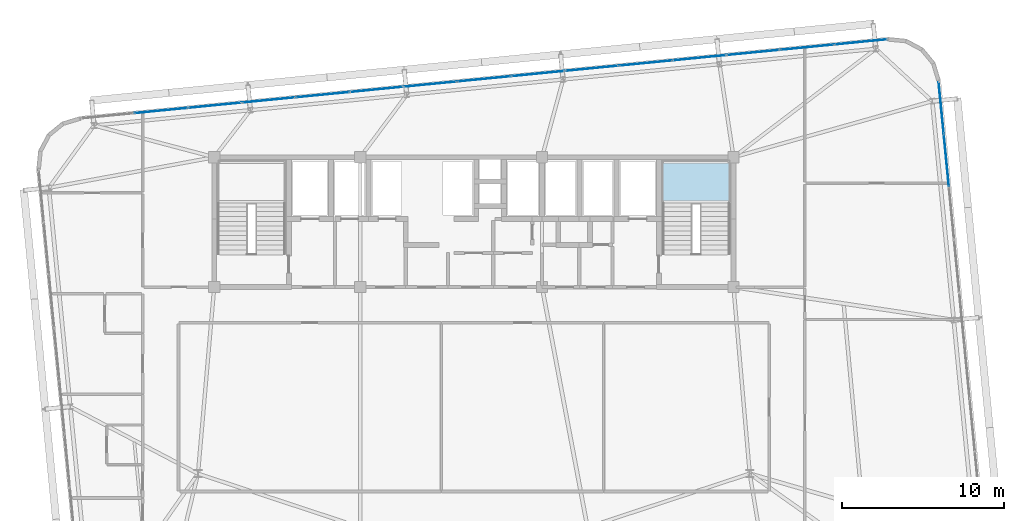
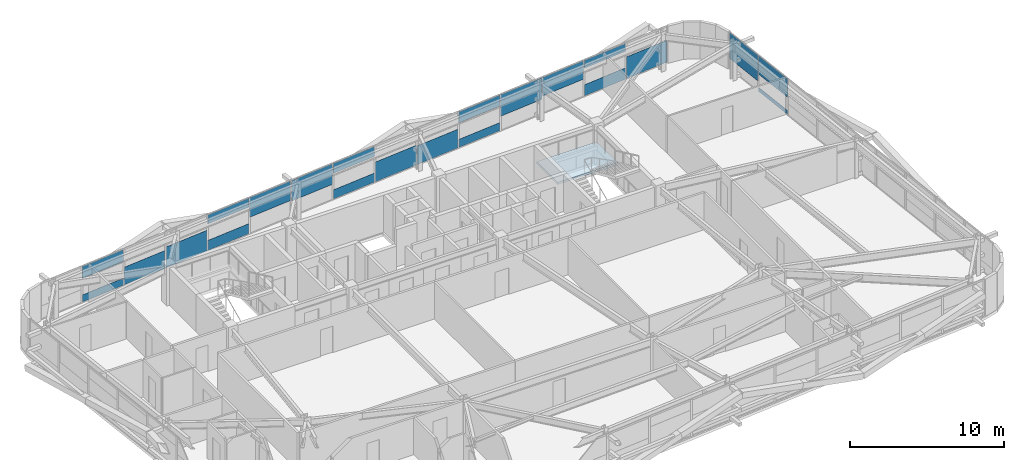
# One storey, part 37 of 53: 22 plates, 1 slab, 3 elements without a shape of their own.
"""IFC4 building model written with IfcOpenShell, lengths in metres."""

import ifcopenshell
import ifcopenshell.guid

model = None  # the IFC model being written
_history = None  # IfcOwnerHistory: only IFC2X3 demands one
_inside = {}  # id of a spatial element -> (the spatial element, [elements in it])
_under = {}  # id of a project, library or spatial element -> (it, [spatial elements below it])
_declared = {}  # id of a project -> (the project, [libraries it declares])
_typed = {}  # id of a type object -> (the type object, [elements of that type])
_made_of = {}  # id of a material, layer set ... -> (it, [elements and type objects made of it])


def new_model(schema):
    """Start an empty IFC model of exactly this schema.

    Asked for "IFC4X3", IfcOpenShell would pick the latest addendum, in which some entities
    have other attributes; the version numbers below select the first issue.
    IFC2X3 requires an IfcOwnerHistory on every rooted entity: one is made here for all.
    """
    global model, _history
    if schema == "IFC4X3":
        model = ifcopenshell.file(schema_version=(4, 3, 0, 0))
    else:
        model = ifcopenshell.file(schema=schema)
    _inside.clear()
    _under.clear()
    _declared.clear()
    _typed.clear()
    _made_of.clear()
    _history = None
    if model.schema == "IFC2X3":
        org = make("IfcOrganization", Name="unknown")
        user = make(
            "IfcPersonAndOrganization",
            ThePerson=make("IfcPerson", FamilyName="unknown"),
            TheOrganization=org,
        )
        app = make(
            "IfcApplication",
            ApplicationDeveloper=org,
            Version="unknown",
            ApplicationFullName="unknown",
            ApplicationIdentifier="unknown",
        )
        _history = make(
            "IfcOwnerHistory",
            OwningUser=user,
            OwningApplication=app,
            ChangeAction="ADDED",
            CreationDate=0,
        )
    return model


def make(cls, **values):
    """One entity of the class cls with the attributes given. An attribute that is None is left unset."""
    return model.create_entity(
        cls, **{name: value for name, value in values.items() if value is not None}
    )


def rooted(cls, **values):
    """An entity with a GlobalId (a new one), such as an element, a storey or a relation."""
    return make(cls, GlobalId=ifcopenshell.guid.new(), OwnerHistory=_history, **values)


def si_unit(unit_type, name, prefix=None):
    """IfcSIUnit, for example si_unit("LENGTHUNIT", "METRE", prefix="MILLI")."""
    return make("IfcSIUnit", UnitType=unit_type, Prefix=prefix, Name=name)


def assignment(units):
    """IfcUnitAssignment: the units of a project."""
    return None if units is None else make("IfcUnitAssignment", Units=units)


def point(xyz):
    """IfcCartesianPoint."""
    return None if xyz is None else make("IfcCartesianPoint", Coordinates=xyz)


def direction(xyz):
    """IfcDirection."""
    return None if xyz is None else make("IfcDirection", DirectionRatios=xyz)


def frame(location, z_axis=None, x_axis=None):
    """IfcAxis2Placement3D, a coordinate frame: its origin and axes. An axis left out is left unset."""
    return make(
        "IfcAxis2Placement3D",
        Location=point(location),
        Axis=direction(z_axis),
        RefDirection=direction(x_axis),
    )


def frame_2d(location, x_axis=None):
    """IfcAxis2Placement2D, a coordinate frame in the plane: its origin and x axis."""
    return make(
        "IfcAxis2Placement2D", Location=point(location), RefDirection=direction(x_axis)
    )


def origin():
    """The frame at (0, 0, 0) with its axes left unset."""
    return frame((0.0, 0.0, 0.0))


def origin_2d():
    """The frame at (0, 0) in the plane with its x axis left unset."""
    return frame_2d((0.0, 0.0))


def place(relative_to, where):
    """IfcLocalPlacement: puts the frame where relative to a parent placement (None: the world)."""
    return make(
        "IfcLocalPlacement", PlacementRelTo=relative_to, RelativePlacement=where
    )


def context(
    kind, dimensions, precision=None, world=None, true_north=None, identifier=None
):
    """IfcGeometricRepresentationContext, for example the 3D "Model" context."""
    return make(
        "IfcGeometricRepresentationContext",
        ContextIdentifier=identifier,
        ContextType=kind,
        CoordinateSpaceDimension=dimensions,
        Precision=precision,
        WorldCoordinateSystem=world,
        TrueNorth=true_north,
    )


def subcontext(parent, identifier, kind, view, scale=None):
    """IfcGeometricRepresentationSubContext, for example "Body" below "Model"."""
    return make(
        "IfcGeometricRepresentationSubContext",
        ContextIdentifier=identifier,
        ContextType=kind,
        ParentContext=parent,
        TargetScale=scale,
        TargetView=view,
    )


def project(units=None, contexts=None):
    """IfcProject with its units and contexts."""
    return rooted(
        "IfcProject",
        Name="project",
        RepresentationContexts=contexts,
        UnitsInContext=assignment(units),
    )


def spatial(cls, under=None, at=None, **own):
    """A site, building, storey or space (cls), placed at a placement, below another one or the project."""
    s = rooted(cls, ObjectPlacement=at, **own)
    if under is not None:
        _under.setdefault(under.id(), (under, []))[1].append(s)
    return s


def polyline(points):
    """IfcPolyline through the points."""
    return make("IfcPolyline", Points=[point(p) for p in points])


def profile(cls, at=None, kind="AREA", **sizes):
    """A parametric profile (cls). Its sizes go by their IFC names, for example OverallWidth=200.0."""
    return make(cls, ProfileType=kind, Position=at, **sizes)


def rectangle(**sizes):
    """IfcRectangleProfileDef."""
    return profile("IfcRectangleProfileDef", **sizes)


def outline(outer, holes=None, kind="AREA"):
    """IfcArbitraryClosedProfileDef: a profile drawn as a closed curve; with holes, ...WithVoids."""
    if holes is None:
        return make("IfcArbitraryClosedProfileDef", ProfileType=kind, OuterCurve=outer)
    return make(
        "IfcArbitraryProfileDefWithVoids",
        ProfileType=kind,
        OuterCurve=outer,
        InnerCurves=holes,
    )


def extrude(swept, where, along, depth):
    """IfcExtrudedAreaSolid: the profile swept, set in the frame where, extruded along a direction by depth."""
    return make(
        "IfcExtrudedAreaSolid",
        SweptArea=swept,
        Position=where,
        ExtrudedDirection=direction(along),
        Depth=depth,
    )


def shape(context_of_items, identifier, shape_type, items):
    """IfcShapeRepresentation: the items that make up one representation, for example the "Body"."""
    return make(
        "IfcShapeRepresentation",
        ContextOfItems=context_of_items,
        RepresentationIdentifier=identifier,
        RepresentationType=shape_type,
        Items=items,
    )


def source(mapping_origin, context_of_items, identifier, shape_type, items):
    """IfcRepresentationMap: a shape defined once, which mapped items show again and again."""
    return make(
        "IfcRepresentationMap",
        MappingOrigin=mapping_origin,
        MappedRepresentation=shape(context_of_items, identifier, shape_type, items),
    )


def transform(
    local_origin,
    x_axis=None,
    y_axis=None,
    z_axis=None,
    scale=None,
    scale2=None,
    scale3=None,
    uniform=True,
):
    """IfcCartesianTransformationOperator3D, or its non-uniform kind. x_axis, y_axis, z_axis: its Axis1, 2, 3."""
    if uniform:
        return make(
            "IfcCartesianTransformationOperator3D",
            Axis1=direction(x_axis),
            Axis2=direction(y_axis),
            LocalOrigin=point(local_origin),
            Scale=scale,
            Axis3=direction(z_axis),
        )
    return make(
        "IfcCartesianTransformationOperator3DnonUniform",
        Axis1=direction(x_axis),
        Axis2=direction(y_axis),
        LocalOrigin=point(local_origin),
        Scale=scale,
        Axis3=direction(z_axis),
        Scale2=scale2,
        Scale3=scale3,
    )


def mapped(mapping_source, mapping_target):
    """IfcMappedItem: shows the shape of a source again, moved by a transform."""
    return make(
        "IfcMappedItem", MappingSource=mapping_source, MappingTarget=mapping_target
    )


def material(Name=None, Category=None):
    """IfcMaterial."""
    return make("IfcMaterial", Name=Name, Category=Category)


def layer(
    of_material, thickness, ventilated=None, Name=None, Category=None, Priority=None
):
    """IfcMaterialLayer: one layer of a wall or slab, of a material (None: an air gap)."""
    return make(
        "IfcMaterialLayer",
        Material=of_material,
        LayerThickness=thickness,
        IsVentilated=ventilated,
        Name=Name,
        Category=Category,
        Priority=Priority,
    )


def layer_set(layers, Name=None):
    """IfcMaterialLayerSet."""
    return make("IfcMaterialLayerSet", MaterialLayers=layers, LayerSetName=Name)


def made_of(thing, what):
    """Note that an element or type object is made of a material, layer set ...; save() writes the relation."""
    if what is not None:
        _made_of.setdefault(what.id(), (what, []))[1].append(thing)
    return thing


def type_object(cls, material=None, **own):
    """A type object (cls), such as IfcWallType, which elements share."""
    return made_of(rooted(cls, **own), material)


def element(
    cls,
    number,
    at=None,
    inside=None,
    cuts=None,
    type_object=None,
    material=None,
    context=None,
    identifier="Body",
    shape_type=None,
    held_by="IfcProductDefinitionShape",
    body=None,
    shapes=None,
    **own,
):
    """One element of the class cls, such as IfcWall. Its Tag is "e" and its number.

    at: its placement. inside: the storey or other place that contains it. cuts: it is an
    opening in that element (IfcRelVoidsElement). A single representation is given by context,
    identifier, shape_type and body (its items); several are given by shapes. held_by: the class
    of the entity that holds the representations. save() writes the other relations.
    """
    e = rooted(cls, Tag="e%d" % number, ObjectPlacement=at, **own)
    if body is not None:
        shapes = [shape(context, identifier, shape_type, body)]
    if shapes is not None:
        e.Representation = make(held_by, Representations=shapes)
    if inside is not None:
        _inside.setdefault(inside.id(), (inside, []))[1].append(e)
    if cuts is not None:
        rooted(
            "IfcRelVoidsElement", RelatingBuildingElement=cuts, RelatedOpeningElement=e
        )
    if type_object is not None:
        _typed.setdefault(type_object.id(), (type_object, []))[1].append(e)
    return made_of(e, material)


def aggregate(whole, parts):
    """IfcRelAggregates: a whole, such as a stair, and the parts it consists of."""
    return rooted("IfcRelAggregates", RelatingObject=whole, RelatedObjects=parts)


def save(model, path):
    """Write the relations noted so far, then the file.

    IfcRelAggregates (storeys below a building ...), IfcRelContainedInSpatialStructure (elements
    in a storey), IfcRelDefinesByType, IfcRelAssociatesMaterial and IfcRelDeclares: one each for
    every whole, place, type object, material and project.
    """
    for whole, parts in _under.values():
        aggregate(whole, parts)
    for where, things in _inside.values():
        rooted(
            "IfcRelContainedInSpatialStructure",
            RelatedElements=things,
            RelatingStructure=where,
        )
    for kind, things in _typed.values():
        rooted("IfcRelDefinesByType", RelatedObjects=things, RelatingType=kind)
    for what, things in _made_of.values():
        rooted("IfcRelAssociatesMaterial", RelatedObjects=things, RelatingMaterial=what)
    for by, libraries in _declared.values():
        rooted("IfcRelDeclares", RelatingContext=by, RelatedDefinitions=libraries)
    model.write(path)


model = new_model("IFC4")

# Units and contexts
model_context = context("Model", 3, precision=1e-05, world=origin(), true_north=direction((0.0, 1.0)))
body_context = subcontext(model_context, "Body", "Model", "MODEL_VIEW")
ifc_project = project(units=[si_unit("LENGTHUNIT", "METRE"), si_unit("AREAUNIT", "SQUARE_METRE"), si_unit("VOLUMEUNIT", "CUBIC_METRE"), si_unit("PLANEANGLEUNIT", "RADIAN"), si_unit("MASSUNIT", "GRAM", prefix="KILO")], contexts=[model_context])

# Site, building, storey
site_placement = place(None, origin())
site = spatial("IfcSite", under=ifc_project, at=site_placement, CompositionType="ELEMENT")
building_placement = place(site_placement, origin())
building = spatial("IfcBuilding", under=site, at=building_placement, Name="Taldren Reach Tower", CompositionType="ELEMENT")
storey_placement = place(building_placement, frame((0.0, 0.0, 80.85009765625)))
storey = spatial("IfcBuildingStorey", under=building, at=storey_placement, Name="L24", CompositionType="ELEMENT", Elevation=80.85009765625)

# Stair, slab
ifc_material_1 = material(Name="Concrete S50 (50 MPa)", Category="concrete")
stair_type = type_object("IfcStairType", Name="ST-HT-315", PredefinedType="HALF_TURN_STAIR", material=ifc_material_1)
stair_placement = place(storey_placement, origin())
stair = element("IfcStair", 1, at=stair_placement, inside=storey, type_object=stair_type, Name="Fire-isolated exit stair ST2 L24", PredefinedType="HALF_TURN_STAIR")
ifc_layer_1 = layer(ifc_material_1, 0.179931640625)
ifc_layer_set_1 = layer_set([ifc_layer_1], Name="Concrete S50 (50 MPa)")
slab_type = type_object("IfcSlabType", Name="SL-LAND-180", PredefinedType="LANDING", material=ifc_layer_set_1)
slab_placement = place(storey_placement, frame((0.0, 0.0, 1.39501953125)))
slab = element("IfcSlab", 2, at=slab_placement, type_object=slab_type, Name="ST2 landing 1", PredefinedType="LANDING", context=body_context, shape_type="SweptSolid", body=[
    extrude(outline(polyline([(46.43994140625, 29.135009765625), (50.9599609375, 29.135009765625), (50.9599609375, 31.8701171875), (46.43994140625, 31.8701171875), (46.43994140625, 29.135009765625)])), origin(), (0.0, 0.0, 1.0), 0.179931640625),
])
aggregate(stair, [slab])

# Curtain wall, plates
ifc_material_2 = material(Name="Aluminium and Low-E Glass Unitised System", Category="aluminium")
ifc_layer_2 = layer(ifc_material_2, 0.159912109375)
ifc_layer_set_2 = layer_set([ifc_layer_2], Name="Aluminium and Low-E Glass Unitised System")
curtain_wall_type = type_object("IfcCurtainWallType", Name="CW-SYS-3", PredefinedType="NOTDEFINED", material=ifc_layer_set_2)
curtain_wall_1_placement = place(storey_placement, origin())
curtain_wall_1 = element("IfcCurtainWall", 3, at=curtain_wall_1_placement, inside=storey, type_object=curtain_wall_type, Name="Unitised curtain wall CW-L24-N", PredefinedType="NOTDEFINED")
ifc_material_3 = material(Name="Solar-Control Double Glazed IGU", Category="glass")
ifc_layer_3 = layer(ifc_material_3, 0.031982421875)
ifc_layer_set_3 = layer_set([ifc_layer_3], Name="Solar-Control Double Glazed IGU")
plate_type = type_object("IfcPlateType", Name="CW-PNL-IGU32", PredefinedType="CURTAIN_PANEL", material=ifc_layer_set_3)
shared_shape_1 = source(origin(), body_context, "Body", "SweptSolid", [
    extrude(rectangle(XDim=3.23583984375, YDim=0.031982421875, at=origin_2d()), origin(), (0.0, 0.0, 1.0), 1.72509765625),
])
plate_1_placement = place(storey_placement, frame((58.83740234375, 39.101318359375, 0.054931640625), z_axis=(0.0, 0.0, 1.0), x_axis=(-0.995227390247, -0.097582999046, 0.0)))
plate_1 = element("IfcPlate", 4, at=plate_1_placement, type_object=plate_type, Name="CW-3 panel 1.1 part 1", PredefinedType="CURTAIN_PANEL", context=body_context, shape_type="MappedRepresentation", body=[
    mapped(shared_shape_1, transform((0.0, 0.0, 0.0), scale=1.0)),
])
shared_shape_2 = source(origin(), body_context, "Body", "SweptSolid", [
    extrude(rectangle(XDim=3.268310546875, YDim=0.031982421875, at=origin_2d()), origin(), (0.0, 0.0, 1.0), 0.88818359375),
])
plate_2_placement = place(storey_placement, frame((55.5361328125, 38.777587890625, 0.054931640625), z_axis=(0.0, 0.0, 1.0), x_axis=(-0.995227390247, -0.097582999046, 0.0)))
plate_2 = element("IfcPlate", 5, at=plate_2_placement, type_object=plate_type, Name="CW-3 panel 2.1 part 1", PredefinedType="CURTAIN_PANEL", context=body_context, shape_type="MappedRepresentation", body=[
    mapped(shared_shape_2, transform((0.0, 0.0, 0.0), scale=1.0)),
])
shared_shape_3 = source(origin(), body_context, "Body", "SweptSolid", [
    extrude(rectangle(XDim=3.268310546875, YDim=0.031982421875, at=origin_2d()), origin(), (0.0, 0.0, 1.0), 0.626953125),
])
plate_3_placement = place(storey_placement, frame((55.5361328125, 38.777587890625, 2.248046875), z_axis=(0.0, 0.0, 1.0), x_axis=(-0.995227390247, -0.097582999046, 0.0)))
plate_3 = element("IfcPlate", 6, at=plate_3_placement, type_object=plate_type, Name="CW-3 panel 2.1 part 2", PredefinedType="CURTAIN_PANEL", context=body_context, shape_type="MappedRepresentation", body=[
    mapped(shared_shape_3, transform((0.0, 0.0, 0.0), scale=1.0)),
])
shared_shape_4 = source(origin(), body_context, "Body", "SweptSolid", [
    extrude(rectangle(XDim=3.268310546875, YDim=0.031982421875, at=origin_2d()), origin(), (0.0, 0.0, 1.0), 1.4638671875),
])
plate_4_placement = place(storey_placement, frame((52.21875, 38.452392578125, 1.4111328125), z_axis=(0.0, 0.0, 1.0), x_axis=(-0.995227390247, -0.097582999046, 0.0)))
plate_4 = element("IfcPlate", 7, at=plate_4_placement, type_object=plate_type, Name="CW-3 panel 3.1 part 1", PredefinedType="CURTAIN_PANEL", context=body_context, shape_type="MappedRepresentation", body=[
    mapped(shared_shape_4, transform((0.0, 0.0, 0.0), scale=1.0)),
])
shared_shape_5 = source(origin(), body_context, "Body", "SweptSolid", [
    extrude(rectangle(XDim=3.268310546875, YDim=0.031982421875, at=origin_2d()), origin(), (0.0, 0.0, 1.0), 1.704833984375),
])
plate_5_placement = place(storey_placement, frame((48.9013671875, 38.126953125, 1.169921875), z_axis=(0.0, 0.0, 1.0), x_axis=(-0.995227390247, -0.097582999046, 0.0)))
plate_5 = element("IfcPlate", 8, at=plate_5_placement, type_object=plate_type, Name="CW-3 panel 4.1 part 1", PredefinedType="CURTAIN_PANEL", context=body_context, shape_type="MappedRepresentation", body=[
    mapped(shared_shape_5, transform((0.0, 0.0, 0.0), scale=1.0)),
])
shared_shape_6 = source(origin(), body_context, "Body", "SweptSolid", [
    extrude(rectangle(XDim=3.268310546875, YDim=0.031982421875, at=origin_2d()), origin(), (0.0, 0.0, 1.0), 0.647216796875),
])
plate_6_placement = place(storey_placement, frame((45.583740234375, 37.8017578125, 0.05517578125), z_axis=(0.0, 0.0, 1.0), x_axis=(-0.995227390247, -0.097582999046, 0.0)))
plate_6 = element("IfcPlate", 9, at=plate_6_placement, type_object=plate_type, Name="CW-3 panel 5.1 part 1", PredefinedType="CURTAIN_PANEL", context=body_context, shape_type="MappedRepresentation", body=[
    mapped(shared_shape_6, transform((0.0, 0.0, 0.0), scale=1.0)),
])
shared_shape_7 = source(origin(), body_context, "Body", "SweptSolid", [
    extrude(rectangle(XDim=3.268310546875, YDim=0.031982421875, at=origin_2d()), origin(), (0.0, 0.0, 1.0), 0.867919921875),
])
plate_7_placement = place(storey_placement, frame((45.583740234375, 37.8017578125, 2.0068359375), z_axis=(0.0, 0.0, 1.0), x_axis=(-0.995227390247, -0.097582999046, 0.0)))
plate_7 = element("IfcPlate", 10, at=plate_7_placement, type_object=plate_type, Name="CW-3 panel 5.1 part 2", PredefinedType="CURTAIN_PANEL", context=body_context, shape_type="MappedRepresentation", body=[
    mapped(shared_shape_7, transform((0.0, 0.0, 0.0), scale=1.0)),
])
shared_shape_8 = source(origin(), body_context, "Body", "SweptSolid", [
    extrude(rectangle(XDim=3.268310546875, YDim=0.031982421875, at=origin_2d()), origin(), (0.0, 0.0, 1.0), 1.484130859375),
])
plate_8_placement = place(storey_placement, frame((42.266357421875, 37.4765625, 0.0546875), z_axis=(0.0, 0.0, 1.0), x_axis=(-0.995227390247, -0.097582999046, 0.0)))
plate_8 = element("IfcPlate", 11, at=plate_8_placement, type_object=plate_type, Name="CW-3 panel 6.1 part 1", PredefinedType="CURTAIN_PANEL", context=body_context, shape_type="MappedRepresentation", body=[
    mapped(shared_shape_8, transform((0.0, 0.0, 0.0), scale=1.0)),
])
shared_shape_9 = source(origin(), body_context, "Body", "SweptSolid", [
    extrude(rectangle(XDim=3.268310546875, YDim=0.031982421875, at=origin_2d()), origin(), (0.0, 0.0, 1.0), 1.564453125),
])
plate_9_placement = place(storey_placement, frame((38.948974609375, 37.151123046875, 0.054931640625), z_axis=(0.0, 0.0, 1.0), x_axis=(-0.995227390247, -0.097582999046, 0.0)))
plate_9 = element("IfcPlate", 12, at=plate_9_placement, type_object=plate_type, Name="CW-3 panel 7.1 part 1", PredefinedType="CURTAIN_PANEL", context=body_context, shape_type="MappedRepresentation", body=[
    mapped(shared_shape_9, transform((0.0, 0.0, 0.0), scale=1.0)),
])
shared_shape_10 = source(origin(), body_context, "Body", "SweptSolid", [
    extrude(rectangle(XDim=3.268310546875, YDim=0.031982421875, at=origin_2d()), origin(), (0.0, 0.0, 1.0), 0.7275390625),
])
plate_10_placement = place(storey_placement, frame((35.631591796875, 36.825927734375, 0.054931640625), z_axis=(0.0, 0.0, 1.0), x_axis=(-0.995227390247, -0.097582999046, 0.0)))
plate_10 = element("IfcPlate", 13, at=plate_10_placement, type_object=plate_type, Name="CW-3 panel 8.1 part 1", PredefinedType="CURTAIN_PANEL", context=body_context, shape_type="MappedRepresentation", body=[
    mapped(shared_shape_10, transform((0.0, 0.0, 0.0), scale=1.0)),
])
shared_shape_11 = source(origin(), body_context, "Body", "SweptSolid", [
    extrude(rectangle(XDim=3.268310546875, YDim=0.031982421875, at=origin_2d()), origin(), (0.0, 0.0, 1.0), 0.78759765625),
])
plate_11_placement = place(storey_placement, frame((35.631591796875, 36.825927734375, 2.08740234375), z_axis=(0.0, 0.0, 1.0), x_axis=(-0.995227390247, -0.097582999046, 0.0)))
plate_11 = element("IfcPlate", 14, at=plate_11_placement, type_object=plate_type, Name="CW-3 panel 8.1 part 2", PredefinedType="CURTAIN_PANEL", context=body_context, shape_type="MappedRepresentation", body=[
    mapped(shared_shape_11, transform((0.0, 0.0, 0.0), scale=1.0)),
])
shared_shape_12 = source(origin(), body_context, "Body", "SweptSolid", [
    extrude(rectangle(XDim=3.268310546875, YDim=0.031982421875, at=origin_2d()), origin(), (0.0, 0.0, 1.0), 1.62451171875),
])
plate_12_placement = place(storey_placement, frame((32.314208984375, 36.500732421875, 1.25048828125), z_axis=(0.0, 0.0, 1.0), x_axis=(-0.995227390247, -0.097582999046, 0.0)))
plate_12 = element("IfcPlate", 15, at=plate_12_placement, type_object=plate_type, Name="CW-3 panel 9.1 part 1", PredefinedType="CURTAIN_PANEL", context=body_context, shape_type="MappedRepresentation", body=[
    mapped(shared_shape_12, transform((0.0, 0.0, 0.0), scale=1.0)),
])
shared_shape_13 = source(origin(), body_context, "Body", "SweptSolid", [
    extrude(rectangle(XDim=3.268310546875, YDim=0.031982421875, at=origin_2d()), origin(), (0.0, 0.0, 1.0), 1.544189453125),
])
plate_13_placement = place(storey_placement, frame((28.996826171875, 36.17529296875, 1.33056640625), z_axis=(0.0, 0.0, 1.0), x_axis=(-0.995227390247, -0.097582999046, 0.0)))
plate_13 = element("IfcPlate", 16, at=plate_13_placement, type_object=plate_type, Name="CW-3 panel 10.1 part 1", PredefinedType="CURTAIN_PANEL", context=body_context, shape_type="MappedRepresentation", body=[
    mapped(shared_shape_13, transform((0.0, 0.0, 0.0), scale=1.0)),
])
shared_shape_14 = source(origin(), body_context, "Body", "SweptSolid", [
    extrude(rectangle(XDim=3.268310546875, YDim=0.031982421875, at=origin_2d()), origin(), (0.0, 0.0, 1.0), 0.807861328125),
])
plate_14_placement = place(storey_placement, frame((25.67919921875, 35.85009765625, 0.05517578125), z_axis=(0.0, 0.0, 1.0), x_axis=(-0.995227390247, -0.097582999046, 0.0)))
plate_14 = element("IfcPlate", 17, at=plate_14_placement, type_object=plate_type, Name="CW-3 panel 11.1 part 1", PredefinedType="CURTAIN_PANEL", context=body_context, shape_type="MappedRepresentation", body=[
    mapped(shared_shape_14, transform((0.0, 0.0, 0.0), scale=1.0)),
])
shared_shape_15 = source(origin(), body_context, "Body", "SweptSolid", [
    extrude(rectangle(XDim=3.268310546875, YDim=0.031982421875, at=origin_2d()), origin(), (0.0, 0.0, 1.0), 0.707275390625),
])
plate_15_placement = place(storey_placement, frame((25.67919921875, 35.85009765625, 2.16748046875), z_axis=(0.0, 0.0, 1.0), x_axis=(-0.995227390247, -0.097582999046, 0.0)))
plate_15 = element("IfcPlate", 18, at=plate_15_placement, type_object=plate_type, Name="CW-3 panel 11.1 part 2", PredefinedType="CURTAIN_PANEL", context=body_context, shape_type="MappedRepresentation", body=[
    mapped(shared_shape_15, transform((0.0, 0.0, 0.0), scale=1.0)),
])
shared_shape_16 = source(origin(), body_context, "Body", "SweptSolid", [
    extrude(rectangle(XDim=3.268310546875, YDim=0.031982421875, at=origin_2d()), origin(), (0.0, 0.0, 1.0), 1.644775390625),
])
plate_16_placement = place(storey_placement, frame((22.36181640625, 35.52490234375, 0.0546875), z_axis=(0.0, 0.0, 1.0), x_axis=(-0.995227390247, -0.097582999046, 0.0)))
plate_16 = element("IfcPlate", 19, at=plate_16_placement, type_object=plate_type, Name="CW-3 panel 12.1 part 1", PredefinedType="CURTAIN_PANEL", context=body_context, shape_type="MappedRepresentation", body=[
    mapped(shared_shape_16, transform((0.0, 0.0, 0.0), scale=1.0)),
])
shared_shape_17 = source(origin(), body_context, "Body", "SweptSolid", [
    extrude(rectangle(XDim=3.268310546875, YDim=0.031982421875, at=origin_2d()), origin(), (0.0, 0.0, 1.0), 1.40380859375),
])
plate_17_placement = place(storey_placement, frame((19.04443359375, 35.199462890625, 0.054931640625), z_axis=(0.0, 0.0, 1.0), x_axis=(-0.995227390247, -0.097582999046, 0.0)))
plate_17 = element("IfcPlate", 20, at=plate_17_placement, type_object=plate_type, Name="CW-3 panel 13.1 part 1", PredefinedType="CURTAIN_PANEL", context=body_context, shape_type="MappedRepresentation", body=[
    mapped(shared_shape_17, transform((0.0, 0.0, 0.0), scale=1.0)),
])
shared_shape_18 = source(origin(), body_context, "Body", "SweptSolid", [
    extrude(rectangle(XDim=3.268310546875, YDim=0.031982421875, at=origin_2d()), origin(), (0.0, 0.0, 1.0), 0.56689453125),
])
plate_18_placement = place(storey_placement, frame((15.72705078125, 34.874267578125, 0.054931640625), z_axis=(0.0, 0.0, 1.0), x_axis=(-0.995227390247, -0.097582999046, 0.0)))
plate_18 = element("IfcPlate", 21, at=plate_18_placement, type_object=plate_type, Name="CW-3 panel 14.1 part 1", PredefinedType="CURTAIN_PANEL", context=body_context, shape_type="MappedRepresentation", body=[
    mapped(shared_shape_18, transform((0.0, 0.0, 0.0), scale=1.0)),
])
shared_shape_19 = source(origin(), body_context, "Body", "SweptSolid", [
    extrude(rectangle(XDim=3.268310546875, YDim=0.031982421875, at=origin_2d()), origin(), (0.0, 0.0, 1.0), 0.9482421875),
])
plate_19_placement = place(storey_placement, frame((15.72705078125, 34.874267578125, 1.926513671875), z_axis=(0.0, 0.0, 1.0), x_axis=(-0.995227390247, -0.097582999046, 0.0)))
plate_19 = element("IfcPlate", 22, at=plate_19_placement, type_object=plate_type, Name="CW-3 panel 14.1 part 2", PredefinedType="CURTAIN_PANEL", context=body_context, shape_type="MappedRepresentation", body=[
    mapped(shared_shape_19, transform((0.0, 0.0, 0.0), scale=1.0)),
])
aggregate(curtain_wall_1, [plate_1, plate_2, plate_3, plate_4, plate_5, plate_6, plate_7, plate_8, plate_9, plate_10, plate_11, plate_12, plate_13, plate_14, plate_15, plate_16, plate_17, plate_18, plate_19])

curtain_wall_2_placement = place(storey_placement, origin())
curtain_wall_2 = element("IfcCurtainWall", 23, at=curtain_wall_2_placement, inside=storey, type_object=curtain_wall_type, Name="Unitised curtain wall CW-L24-E", PredefinedType="NOTDEFINED")
shared_shape_20 = source(origin(), body_context, "Body", "SweptSolid", [
    extrude(rectangle(XDim=3.18017578125, YDim=0.031982421875, at=origin_2d()), origin(), (0.0, 0.0, 1.0), 2.049560546875),
])
plate_20_placement = place(storey_placement, frame((63.79931640625, 35.051025390625, 0.8251953125), z_axis=(0.0, 0.0, 1.0), x_axis=(-0.09758274098, 0.99522741555, 0.0)))
plate_20 = element("IfcPlate", 24, at=plate_20_placement, type_object=plate_type, Name="CW-3 panel 9.1 part 1", PredefinedType="CURTAIN_PANEL", context=body_context, shape_type="MappedRepresentation", body=[
    mapped(shared_shape_20, transform((0.0, 0.0, 0.0), scale=1.0)),
])
shared_shape_21 = source(origin(), body_context, "Body", "SweptSolid", [
    extrude(rectangle(XDim=3.212890625, YDim=0.031982421875, at=origin_2d()), origin(), (0.0, 0.0, 1.0), 0.3046875),
])
plate_21_placement = place(storey_placement, frame((64.117431640625, 31.80517578125, 0.054931640625), z_axis=(0.0, 0.0, 1.0), x_axis=(-0.09758274098, 0.99522741555, 0.0)))
plate_21 = element("IfcPlate", 25, at=plate_21_placement, type_object=plate_type, Name="CW-3 panel 8.1 part 1", PredefinedType="CURTAIN_PANEL", context=body_context, shape_type="MappedRepresentation", body=[
    mapped(shared_shape_21, transform((0.0, 0.0, 0.0), scale=1.0)),
])
shared_shape_22 = source(origin(), body_context, "Body", "SweptSolid", [
    extrude(rectangle(XDim=3.212890625, YDim=0.031982421875, at=origin_2d()), origin(), (0.0, 0.0, 1.0), 1.461669921875),
])
plate_22_placement = place(storey_placement, frame((64.117431640625, 31.80517578125, 1.4130859375), z_axis=(0.0, 0.0, 1.0), x_axis=(-0.09758274098, 0.99522741555, 0.0)))
plate_22 = element("IfcPlate", 26, at=plate_22_placement, type_object=plate_type, Name="CW-3 panel 8.1 part 2", PredefinedType="CURTAIN_PANEL", context=body_context, shape_type="MappedRepresentation", body=[
    mapped(shared_shape_22, transform((0.0, 0.0, 0.0), scale=1.0)),
])
aggregate(curtain_wall_2, [plate_21, plate_22, plate_20])

save(model, "model.ifc")
